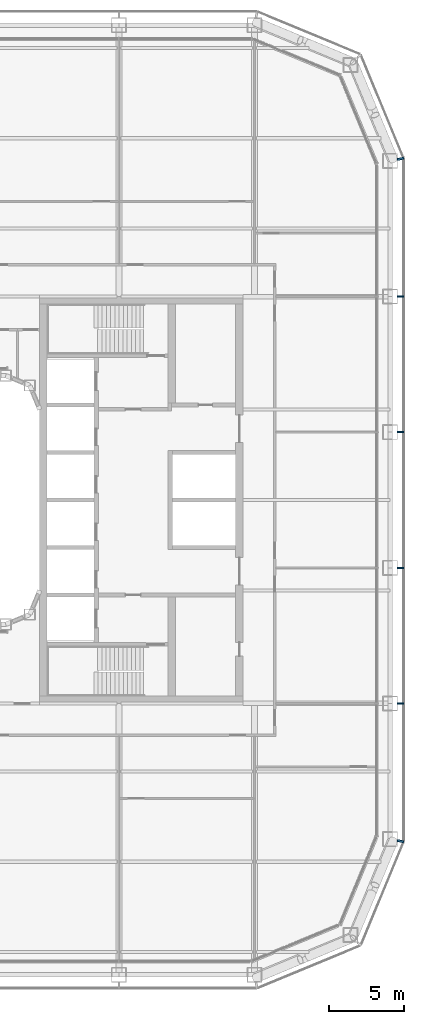
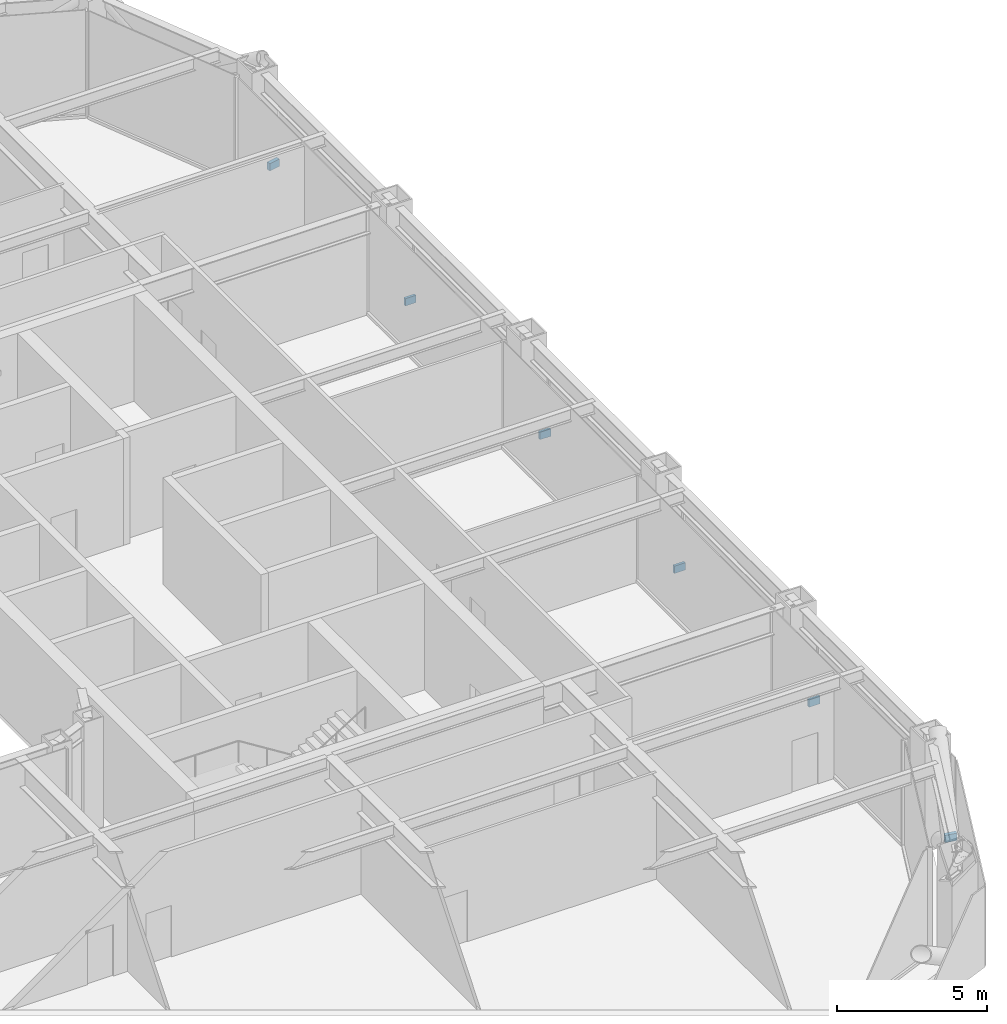
# One storey, part 19 of 25: 6 discrete accessories.
"""IFC4 building model written with IfcOpenShell, lengths in metres."""

import ifcopenshell
import ifcopenshell.guid

model = None  # the IFC model being written
_history = None  # IfcOwnerHistory: only IFC2X3 demands one
_inside = {}  # id of a spatial element -> (the spatial element, [elements in it])
_under = {}  # id of a project, library or spatial element -> (it, [spatial elements below it])
_declared = {}  # id of a project -> (the project, [libraries it declares])
_typed = {}  # id of a type object -> (the type object, [elements of that type])
_made_of = {}  # id of a material, layer set ... -> (it, [elements and type objects made of it])


def new_model(schema):
    """Start an empty IFC model of exactly this schema.

    Asked for "IFC4X3", IfcOpenShell would pick the latest addendum, in which some entities
    have other attributes; the version numbers below select the first issue.
    IFC2X3 requires an IfcOwnerHistory on every rooted entity: one is made here for all.
    """
    global model, _history
    if schema == "IFC4X3":
        model = ifcopenshell.file(schema_version=(4, 3, 0, 0))
    else:
        model = ifcopenshell.file(schema=schema)
    _inside.clear()
    _under.clear()
    _declared.clear()
    _typed.clear()
    _made_of.clear()
    _history = None
    if model.schema == "IFC2X3":
        org = make("IfcOrganization", Name="unknown")
        user = make(
            "IfcPersonAndOrganization",
            ThePerson=make("IfcPerson", FamilyName="unknown"),
            TheOrganization=org,
        )
        app = make(
            "IfcApplication",
            ApplicationDeveloper=org,
            Version="unknown",
            ApplicationFullName="unknown",
            ApplicationIdentifier="unknown",
        )
        _history = make(
            "IfcOwnerHistory",
            OwningUser=user,
            OwningApplication=app,
            ChangeAction="ADDED",
            CreationDate=0,
        )
    return model


def make(cls, **values):
    """One entity of the class cls with the attributes given. An attribute that is None is left unset."""
    return model.create_entity(
        cls, **{name: value for name, value in values.items() if value is not None}
    )


def rooted(cls, **values):
    """An entity with a GlobalId (a new one), such as an element, a storey or a relation."""
    return make(cls, GlobalId=ifcopenshell.guid.new(), OwnerHistory=_history, **values)


def si_unit(unit_type, name, prefix=None):
    """IfcSIUnit, for example si_unit("LENGTHUNIT", "METRE", prefix="MILLI")."""
    return make("IfcSIUnit", UnitType=unit_type, Prefix=prefix, Name=name)


def assignment(units):
    """IfcUnitAssignment: the units of a project."""
    return None if units is None else make("IfcUnitAssignment", Units=units)


def point(xyz):
    """IfcCartesianPoint."""
    return None if xyz is None else make("IfcCartesianPoint", Coordinates=xyz)


def direction(xyz):
    """IfcDirection."""
    return None if xyz is None else make("IfcDirection", DirectionRatios=xyz)


def frame(location, z_axis=None, x_axis=None):
    """IfcAxis2Placement3D, a coordinate frame: its origin and axes. An axis left out is left unset."""
    return make(
        "IfcAxis2Placement3D",
        Location=point(location),
        Axis=direction(z_axis),
        RefDirection=direction(x_axis),
    )


def frame_2d(location, x_axis=None):
    """IfcAxis2Placement2D, a coordinate frame in the plane: its origin and x axis."""
    return make(
        "IfcAxis2Placement2D", Location=point(location), RefDirection=direction(x_axis)
    )


def origin():
    """The frame at (0, 0, 0) with its axes left unset."""
    return frame((0.0, 0.0, 0.0))


def origin_2d():
    """The frame at (0, 0) in the plane with its x axis left unset."""
    return frame_2d((0.0, 0.0))


def place(relative_to, where):
    """IfcLocalPlacement: puts the frame where relative to a parent placement (None: the world)."""
    return make(
        "IfcLocalPlacement", PlacementRelTo=relative_to, RelativePlacement=where
    )


def context(
    kind, dimensions, precision=None, world=None, true_north=None, identifier=None
):
    """IfcGeometricRepresentationContext, for example the 3D "Model" context."""
    return make(
        "IfcGeometricRepresentationContext",
        ContextIdentifier=identifier,
        ContextType=kind,
        CoordinateSpaceDimension=dimensions,
        Precision=precision,
        WorldCoordinateSystem=world,
        TrueNorth=true_north,
    )


def subcontext(parent, identifier, kind, view, scale=None):
    """IfcGeometricRepresentationSubContext, for example "Body" below "Model"."""
    return make(
        "IfcGeometricRepresentationSubContext",
        ContextIdentifier=identifier,
        ContextType=kind,
        ParentContext=parent,
        TargetScale=scale,
        TargetView=view,
    )


def project(units=None, contexts=None):
    """IfcProject with its units and contexts."""
    return rooted(
        "IfcProject",
        Name="project",
        RepresentationContexts=contexts,
        UnitsInContext=assignment(units),
    )


def spatial(cls, under=None, at=None, **own):
    """A site, building, storey or space (cls), placed at a placement, below another one or the project."""
    s = rooted(cls, ObjectPlacement=at, **own)
    if under is not None:
        _under.setdefault(under.id(), (under, []))[1].append(s)
    return s


def profile(cls, at=None, kind="AREA", **sizes):
    """A parametric profile (cls). Its sizes go by their IFC names, for example OverallWidth=200.0."""
    return make(cls, ProfileType=kind, Position=at, **sizes)


def rectangle(**sizes):
    """IfcRectangleProfileDef."""
    return profile("IfcRectangleProfileDef", **sizes)


def extrude(swept, where, along, depth):
    """IfcExtrudedAreaSolid: the profile swept, set in the frame where, extruded along a direction by depth."""
    return make(
        "IfcExtrudedAreaSolid",
        SweptArea=swept,
        Position=where,
        ExtrudedDirection=direction(along),
        Depth=depth,
    )


def shape(context_of_items, identifier, shape_type, items):
    """IfcShapeRepresentation: the items that make up one representation, for example the "Body"."""
    return make(
        "IfcShapeRepresentation",
        ContextOfItems=context_of_items,
        RepresentationIdentifier=identifier,
        RepresentationType=shape_type,
        Items=items,
    )


def material(Name=None, Category=None):
    """IfcMaterial."""
    return make("IfcMaterial", Name=Name, Category=Category)


def made_of(thing, what):
    """Note that an element or type object is made of a material, layer set ...; save() writes the relation."""
    if what is not None:
        _made_of.setdefault(what.id(), (what, []))[1].append(thing)
    return thing


def type_object(cls, material=None, **own):
    """A type object (cls), such as IfcWallType, which elements share."""
    return made_of(rooted(cls, **own), material)


def element(
    cls,
    number,
    at=None,
    inside=None,
    cuts=None,
    type_object=None,
    material=None,
    context=None,
    identifier="Body",
    shape_type=None,
    held_by="IfcProductDefinitionShape",
    body=None,
    shapes=None,
    **own,
):
    """One element of the class cls, such as IfcWall. Its Tag is "e" and its number.

    at: its placement. inside: the storey or other place that contains it. cuts: it is an
    opening in that element (IfcRelVoidsElement). A single representation is given by context,
    identifier, shape_type and body (its items); several are given by shapes. held_by: the class
    of the entity that holds the representations. save() writes the other relations.
    """
    e = rooted(cls, Tag="e%d" % number, ObjectPlacement=at, **own)
    if body is not None:
        shapes = [shape(context, identifier, shape_type, body)]
    if shapes is not None:
        e.Representation = make(held_by, Representations=shapes)
    if inside is not None:
        _inside.setdefault(inside.id(), (inside, []))[1].append(e)
    if cuts is not None:
        rooted(
            "IfcRelVoidsElement", RelatingBuildingElement=cuts, RelatedOpeningElement=e
        )
    if type_object is not None:
        _typed.setdefault(type_object.id(), (type_object, []))[1].append(e)
    return made_of(e, material)


def aggregate(whole, parts):
    """IfcRelAggregates: a whole, such as a stair, and the parts it consists of."""
    return rooted("IfcRelAggregates", RelatingObject=whole, RelatedObjects=parts)


def save(model, path):
    """Write the relations noted so far, then the file.

    IfcRelAggregates (storeys below a building ...), IfcRelContainedInSpatialStructure (elements
    in a storey), IfcRelDefinesByType, IfcRelAssociatesMaterial and IfcRelDeclares: one each for
    every whole, place, type object, material and project.
    """
    for whole, parts in _under.values():
        aggregate(whole, parts)
    for where, things in _inside.values():
        rooted(
            "IfcRelContainedInSpatialStructure",
            RelatedElements=things,
            RelatingStructure=where,
        )
    for kind, things in _typed.values():
        rooted("IfcRelDefinesByType", RelatedObjects=things, RelatingType=kind)
    for what, things in _made_of.values():
        rooted("IfcRelAssociatesMaterial", RelatedObjects=things, RelatingMaterial=what)
    for by, libraries in _declared.values():
        rooted("IfcRelDeclares", RelatingContext=by, RelatedDefinitions=libraries)
    model.write(path)


model = new_model("IFC4")

# Units and contexts
model_context = context("Model", 3, precision=1e-05, world=origin(), true_north=direction((0.0, 1.0)))
body_context = subcontext(model_context, "Body", "Model", "MODEL_VIEW")
ifc_project = project(units=[si_unit("LENGTHUNIT", "METRE"), si_unit("AREAUNIT", "SQUARE_METRE"), si_unit("VOLUMEUNIT", "CUBIC_METRE"), si_unit("PLANEANGLEUNIT", "RADIAN"), si_unit("MASSUNIT", "GRAM", prefix="KILO")], contexts=[model_context])

# Site, building, storey
site_placement = place(None, origin())
site = spatial("IfcSite", under=ifc_project, at=site_placement, CompositionType="ELEMENT")
building_placement = place(site_placement, origin())
building = spatial("IfcBuilding", under=site, at=building_placement, Name="Siwar Civic Tower", CompositionType="ELEMENT")
storey_placement = place(building_placement, frame((0.0, 0.0, 58.199951171875)))
storey = spatial("IfcBuildingStorey", under=building, at=storey_placement, Name="L12", CompositionType="ELEMENT", Elevation=58.199951171875)

# Discrete accessories
ifc_material = material(Name="Stainless steel 316", Category="steel")
discrete_accessory_type = type_object("IfcDiscreteAccessoryType", Name="ENV-BRACKET", PredefinedType="BRACKET", material=ifc_material)
for number, where, z_axis, x_axis, name in (
    (1, (32.18994140625, -13.5, -0.14990234375), (0.0, 0.0, 1.0), (1.0, 0.0, 0.0), "Bracket outer skin joint E-01"),
    (2, (32.18994140625, -4.5, -0.14990234375), (0.0, 0.0, 1.0), (1.0, 0.0, 0.0), "Bracket outer skin joint E-02"),
    (3, (32.18994140625, 4.5, -0.14990234375), (0.0, 0.0, 1.0), (1.0, 0.0, 0.0), "Bracket outer skin joint E-03"),
    (4, (32.18994140625, 13.5, -0.14990234375), (0.0, 0.0, 1.0), (1.0, 0.0, 0.0), "Bracket outer skin joint E-04"),
):
    element("IfcDiscreteAccessory", number, at=place(storey_placement, frame(where, z_axis=z_axis, x_axis=x_axis)), inside=storey, type_object=discrete_accessory_type, Name=name, PredefinedType="BRACKET", context=body_context, shape_type="SweptSolid", body=[
        extrude(rectangle(XDim=0.419921875, YDim=0.10009765625, at=origin_2d()), origin(), (0.0, 0.0, 1.0), 0.300048828125),
    ])
for number, where, z_axis, x_axis, name in (
    (5, (32.190185546875, -22.63720703125, -0.14990234375), (0.0, 0.0, 1.0), (0.980785280403, -0.195090322016, 0.0), "Bracket outer skin joint V03"),
    (6, (32.190185546875, 22.63720703125, -0.14990234375), (0.0, 0.0, 1.0), (0.980785280403, 0.195090322016, 0.0), "Bracket outer skin joint V04"),
):
    element("IfcDiscreteAccessory", number, at=place(storey_placement, frame(where, z_axis=z_axis, x_axis=x_axis)), inside=storey, type_object=discrete_accessory_type, Name=name, PredefinedType="BRACKET", context=body_context, shape_type="SweptSolid", body=[
        extrude(rectangle(XDim=0.427734375, YDim=0.13720703125, at=origin_2d()), origin(), (0.0, 0.0, 1.0), 0.300048828125),
    ])

save(model, "model.ifc")
